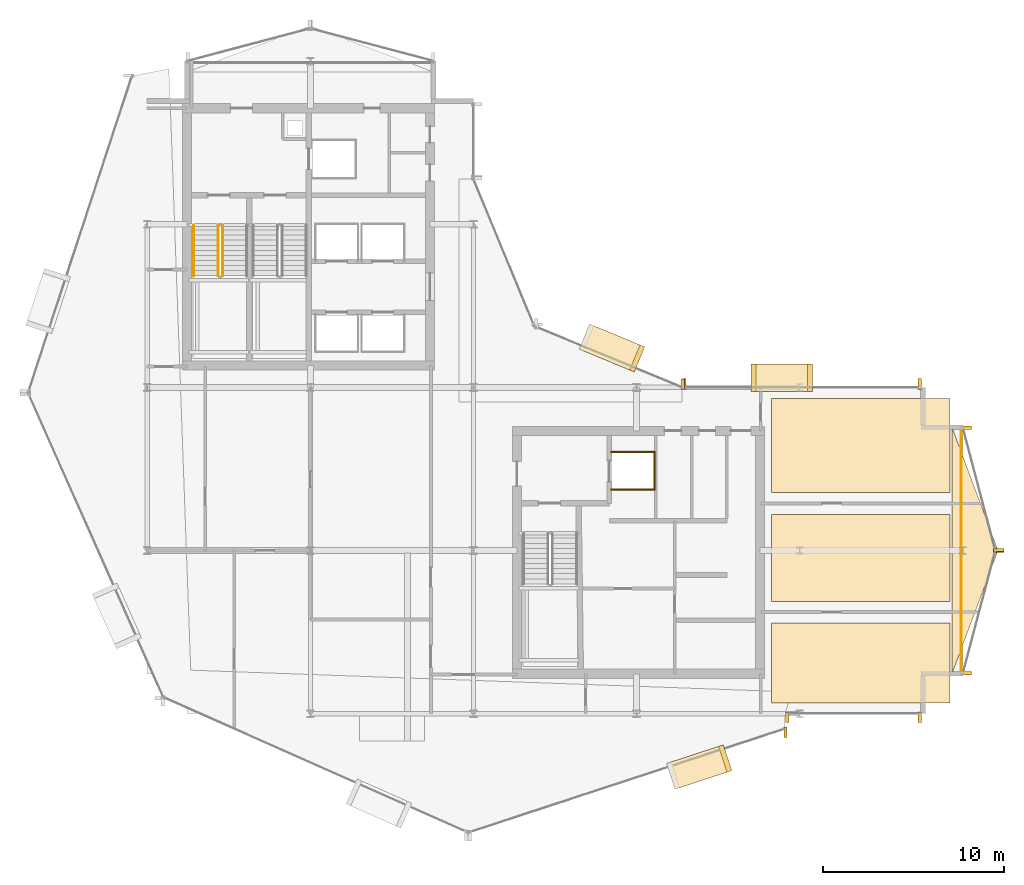
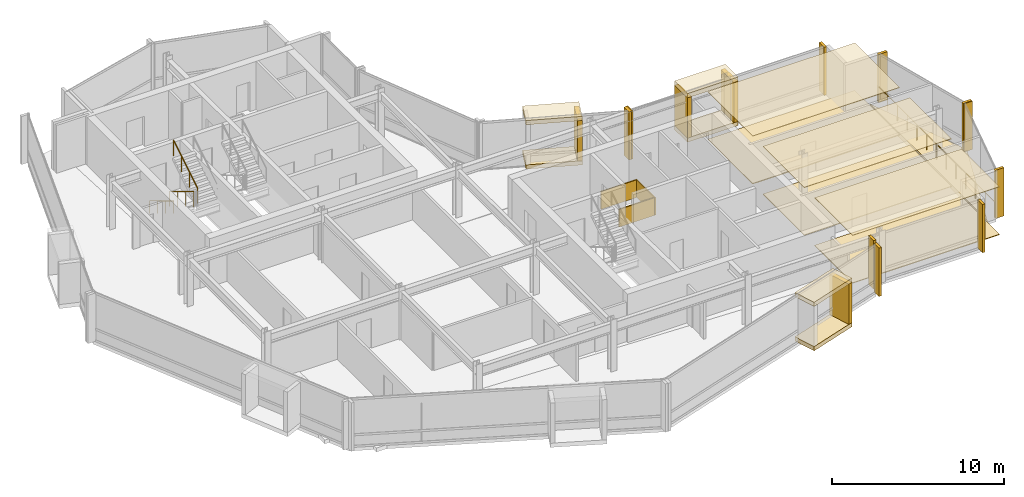
# One storey, part 27 of 28: 30 coverings, 4 railings.
"""IFC4 building model written with IfcOpenShell, lengths in metres."""

from ifc_helpers import new_model, si_unit, direction, frame, origin, origin_2d, place, context, subcontext, project, spatial, polyline, rectangle, circle, outline, extrude, material, layer, layer_set, type_object, element, save


model = new_model("IFC4")

# Units and contexts
model_context = context("Model", 3, precision=1e-05, world=origin(), true_north=direction((0.0, 1.0)))
body_context = subcontext(model_context, "Body", "Model", "MODEL_VIEW")
ifc_project = project(units=[si_unit("LENGTHUNIT", "METRE"), si_unit("AREAUNIT", "SQUARE_METRE"), si_unit("VOLUMEUNIT", "CUBIC_METRE"), si_unit("PLANEANGLEUNIT", "RADIAN"), si_unit("MASSUNIT", "GRAM", prefix="KILO")], contexts=[model_context])

# Site, building, storey
site_placement = place(None, origin())
site = spatial("IfcSite", under=ifc_project, at=site_placement, CompositionType="ELEMENT")
building_placement = place(site_placement, origin())
building = spatial("IfcBuilding", under=site, at=building_placement, Name="Solvaryn Broadcast Tower", CompositionType="ELEMENT")
storey_placement = place(building_placement, frame((0.0, 0.0, 206.199951171875)))
storey = spatial("IfcBuildingStorey", under=building, at=storey_placement, Name="L51", CompositionType="ELEMENT", Elevation=206.199951171875)

# Coverings
ifc_material_1 = material(Name="Micro-Perforated Acoustic Gypsum Ceiling", Category="concrete")
ifc_layer_1 = layer(ifc_material_1, 0.0400390625)
ifc_layer_set_1 = layer_set([ifc_layer_1], Name="CV-CEIL-ACOUSTIC")
covering_type_1 = type_object("IfcCoveringType", Name="CV-CEIL-ACOUSTIC", PredefinedType="CEILING", material=ifc_layer_set_1)
covering_1_placement = place(storey_placement, frame((0.0, 0.0, 3.380126953125)))
element("IfcCovering", 1, at=covering_1_placement, inside=storey, type_object=covering_type_1, Name="L51 Room Acoustic Ceiling 1", PredefinedType="CEILING", context=body_context, shape_type="SweptSolid", body=[
    extrude(outline(polyline([(43.449951171875, 9.60009765625), (53.300048828125, 9.60009765625), (53.300048828125, 14.0), (43.449951171875, 14.0), (43.449951171875, 9.60009765625)])), origin(), (0.0, 0.0, 1.0), 0.0400390625),
])
covering_2_placement = place(storey_placement, frame((0.0, 0.0, 3.380126953125)))
element("IfcCovering", 2, at=covering_2_placement, inside=storey, type_object=covering_type_1, Name="L51 Room Acoustic Ceiling 2", PredefinedType="CEILING", context=body_context, shape_type="SweptSolid", body=[
    extrude(outline(polyline([(43.449951171875, 15.199951171875), (53.300048828125, 15.199951171875), (53.300048828125, 20.0), (43.449951171875, 20.0), (43.449951171875, 15.199951171875)])), origin(), (0.0, 0.0, 1.0), 0.0400390625),
])
covering_3_placement = place(storey_placement, frame((0.0, 0.0, 3.380126953125)))
element("IfcCovering", 3, at=covering_3_placement, inside=storey, type_object=covering_type_1, Name="L51 Room Acoustic Ceiling 3", PredefinedType="CEILING", context=body_context, shape_type="SweptSolid", body=[
    extrude(outline(polyline([(43.449951171875, 21.199951171875), (53.300048828125, 21.199951171875), (53.300048828125, 26.39990234375), (43.449951171875, 26.39990234375), (43.449951171875, 21.199951171875)])), origin(), (0.0, 0.0, 1.0), 0.0400390625),
])
ifc_material_2 = material(Name="Newsroom Raised Data Access Flooring", Category="steel")
ifc_layer_2 = layer(ifc_material_2, 0.050048828125)
ifc_layer_set_2 = layer_set([ifc_layer_2], Name="CV-FLOOR-RAISED")
covering_type_2 = type_object("IfcCoveringType", Name="CV-FLOOR-RAISED", PredefinedType="FLOORING", material=ifc_layer_set_2)
covering_4_placement = place(storey_placement, origin())
element("IfcCovering", 4, at=covering_4_placement, inside=storey, type_object=covering_type_2, Name="L51 Room Acoustic Floor Finish 1", PredefinedType="FLOORING", context=body_context, shape_type="SweptSolid", body=[
    extrude(outline(polyline([(43.449951171875, 9.60009765625), (53.300048828125, 9.60009765625), (53.300048828125, 14.0), (43.449951171875, 14.0), (43.449951171875, 9.60009765625)])), origin(), (0.0, 0.0, 1.0), 0.050048828125),
])
covering_5_placement = place(storey_placement, origin())
element("IfcCovering", 5, at=covering_5_placement, inside=storey, type_object=covering_type_2, Name="L51 Room Acoustic Floor Finish 2", PredefinedType="FLOORING", context=body_context, shape_type="SweptSolid", body=[
    extrude(outline(polyline([(43.449951171875, 15.199951171875), (53.300048828125, 15.199951171875), (53.300048828125, 20.0), (43.449951171875, 20.0), (43.449951171875, 15.199951171875)])), origin(), (0.0, 0.0, 1.0), 0.050048828125),
])
covering_6_placement = place(storey_placement, origin())
element("IfcCovering", 6, at=covering_6_placement, inside=storey, type_object=covering_type_2, Name="L51 Room Acoustic Floor Finish 3", PredefinedType="FLOORING", context=body_context, shape_type="SweptSolid", body=[
    extrude(outline(polyline([(43.449951171875, 21.199951171875), (53.300048828125, 21.199951171875), (53.300048828125, 26.39990234375), (43.449951171875, 26.39990234375), (43.449951171875, 21.199951171875)])), origin(), (0.0, 0.0, 1.0), 0.050048828125),
])
ifc_material_3 = material(Name="Fire-Rated Gypsum Shaftwall Liner", Category="concrete")
ifc_layer_3 = layer(ifc_material_3, 0.080078125)
ifc_layer_set_3 = layer_set([ifc_layer_3], Name="CV-SHAFT-LINER")
covering_type_3 = type_object("IfcCoveringType", Name="CV-SHAFT-LINER", PredefinedType="CLADDING", material=ifc_layer_set_3)
for number, where, z_axis, x_axis, name in (
    (7, (35.800048828125, 23.43994140625, 0.0), (0.0, 0.0, 1.0), (1.0, 0.0, 0.0), "L51 FL2 Hoistway Shaft Liner North"),
    (8, (35.800048828125, 21.360107421875, 0.0), (0.0, 0.0, 1.0), (1.0, 0.0, 0.0), "L51 FL2 Hoistway Shaft Liner South"),
):
    element("IfcCovering", number, at=place(storey_placement, frame(where, z_axis=z_axis, x_axis=x_axis)), inside=storey, type_object=covering_type_3, Name=name, PredefinedType="CLADDING", context=body_context, shape_type="SweptSolid", body=[
        extrude(rectangle(XDim=2.4599609375, YDim=0.080078125, at=origin_2d()), origin(), (0.0, 0.0, 1.0), 1.25),
    ])
covering_7_placement = place(storey_placement, frame((36.989990234375, 22.39990234375, 0.0), z_axis=(0.0, 0.0, 1.0), x_axis=(1.0, 0.0, 0.0)))
element("IfcCovering", 9, at=covering_7_placement, inside=storey, type_object=covering_type_3, Name="L51 FL2 Hoistway Shaft Liner East", PredefinedType="CLADDING", context=body_context, shape_type="SweptSolid", body=[
    extrude(rectangle(XDim=0.080078125, YDim=2.159912109375, at=origin_2d()), origin(), (0.0, 0.0, 1.0), 1.25),
])
ifc_material_4 = material(Name="Glazed Architectural Terracotta Rainscreen Cladding", Category="masonry")
ifc_layer_4 = layer(ifc_material_4, 0.280029296875)
ifc_layer_set_4 = layer_set([ifc_layer_4], Name="CV-TC-CLAD")
covering_type_4 = type_object("IfcCoveringType", Name="CV-TC-CLAD", PredefinedType="CLADDING", material=ifc_layer_set_4)
for number, where, z_axis, x_axis, name in (
    (10, (39.4541015625, 6.054931640625, 3.1298828125), (0.0, 0.0, 1.0), (0.950244253402, 0.311505792684, 0.0), "L51 Projecting Stone Window Box Hood 4"),
    (11, (39.4541015625, 6.054931640625, -0.009765625), (0.0, 0.0, 1.0), (0.950244253402, 0.311505792684, 0.0), "L51 Projecting Stone Window Box Sill 4"),
):
    element("IfcCovering", number, at=place(storey_placement, frame(where, z_axis=z_axis, x_axis=x_axis)), inside=storey, type_object=covering_type_4, Name=name, PredefinedType="CLADDING", context=body_context, shape_type="SweptSolid", body=[
        extrude(rectangle(XDim=3.300048828125, YDim=1.5, at=origin_2d()), origin(), (0.0, 0.0, 1.0), 0.300048828125),
    ])
covering_8_placement = place(storey_placement, frame((40.888916015625, 6.525390625, 0.27978515625), z_axis=(0.0, 0.0, 1.0), x_axis=(0.950244253402, 0.311505792684, 0.0)))
element("IfcCovering", 12, at=covering_8_placement, inside=storey, type_object=covering_type_4, Name="L51 Projecting Stone Window Box Cheek 4-2", PredefinedType="CLADDING", context=body_context, shape_type="SweptSolid", body=[
    extrude(rectangle(XDim=0.280029296875, YDim=1.5, at=origin_2d()), origin(), (0.0, 0.0, 1.0), 2.860107421875),
])
for number, where, z_axis, x_axis, name in (
    (13, (34.636962890625, 29.174072265625, 3.1298828125), (0.0, 0.0, 1.0), (-0.923879532511, 0.382683432365, 0.0), "L51 Projecting Stone Window Box Hood 5"),
    (14, (34.636962890625, 29.174072265625, -0.009765625), (0.0, 0.0, 1.0), (-0.923879532511, 0.382683432365, 0.0), "L51 Projecting Stone Window Box Sill 5"),
):
    element("IfcCovering", number, at=place(storey_placement, frame(where, z_axis=z_axis, x_axis=x_axis)), inside=storey, type_object=covering_type_4, Name=name, PredefinedType="CLADDING", context=body_context, shape_type="SweptSolid", body=[
        extrude(rectangle(XDim=3.300048828125, YDim=1.5, at=origin_2d()), origin(), (0.0, 0.0, 1.0), 0.300048828125),
    ])
covering_9_placement = place(storey_placement, frame((36.031982421875, 28.59619140625, 0.27978515625), z_axis=(0.0, 0.0, 1.0), x_axis=(-0.923879532511, 0.382683432365, 0.0)))
element("IfcCovering", 15, at=covering_9_placement, inside=storey, type_object=covering_type_4, Name="L51 Projecting Stone Window Box Cheek 5-1", PredefinedType="CLADDING", context=body_context, shape_type="SweptSolid", body=[
    extrude(rectangle(XDim=0.280029296875, YDim=1.5, at=origin_2d()), origin(), (0.0, 0.0, 1.0), 2.860107421875),
])
for number, where, z_axis, x_axis, name in (
    (16, (44.0, 27.530029296875, 3.1298828125), (0.0, 0.0, 1.0), (1.0, 0.0, 0.0), "L51 Projecting Stone Window Box Hood 6"),
    (17, (44.0, 27.530029296875, -0.009765625), (0.0, 0.0, 1.0), (1.0, 0.0, 0.0), "L51 Projecting Stone Window Box Sill 6"),
):
    element("IfcCovering", number, at=place(storey_placement, frame(where, z_axis=z_axis, x_axis=x_axis)), inside=storey, type_object=covering_type_4, Name=name, PredefinedType="CLADDING", context=body_context, shape_type="SweptSolid", body=[
        extrude(rectangle(XDim=3.39990234375, YDim=1.5, at=origin_2d()), origin(), (0.0, 0.0, 1.0), 0.300048828125),
    ])
for number, where, z_axis, x_axis, name in (
    (18, (42.43994140625, 27.530029296875, 0.27978515625), (0.0, 0.0, 1.0), (1.0, 0.0, 0.0), "L51 Projecting Stone Window Box Cheek 6-1"),
    (19, (45.56005859375, 27.530029296875, 0.27978515625), (0.0, 0.0, 1.0), (1.0, 0.0, 0.0), "L51 Projecting Stone Window Box Cheek 6-2"),
):
    element("IfcCovering", number, at=place(storey_placement, frame(where, z_axis=z_axis, x_axis=x_axis)), inside=storey, type_object=covering_type_4, Name=name, PredefinedType="CLADDING", context=body_context, shape_type="SweptSolid", body=[
        extrude(rectangle(XDim=0.280029296875, YDim=1.5, at=origin_2d()), origin(), (0.0, 0.0, 1.0), 2.860107421875),
    ])
ifc_material_5 = material(Name="Extruded Architectural Terracotta Fin", Category="masonry")
ifc_layer_5 = layer(ifc_material_5, 0.179931640625)
ifc_layer_set_5 = layer_set([ifc_layer_5], Name="CV-TC-FIN")
covering_type_5 = type_object("IfcCoveringType", Name="CV-TC-FIN", PredefinedType="USERDEFINED", material=ifc_layer_set_5)
for number, where, z_axis, x_axis, name in (
    (20, (44.209716796875, 7.982666015625, 0.0), (0.0, 0.0, 1.0), (1.0, 0.0, 0.0), "L51 Terracotta Vertical Fin FIN-L51-DR4-M01"),
    (21, (38.541259765625, 27.177978515625, 0.0), (0.0, 0.0, 1.0), (1.0, 0.0, 0.0), "L51 Terracotta Vertical Fin FIN-L51-CN1-M00"),
    (22, (44.31201171875, 8.8125, 0.0), (0.0, 0.0, 1.0), (1.0, 0.0, 0.0), "L51 Terracotta Vertical Fin FIN-L51-S2-M00"),
    (23, (51.6201171875, 8.8125, 0.0), (0.0, 0.0, 1.0), (1.0, 0.0, 0.0), "L51 Terracotta Vertical Fin FIN-L51-S2-M01"),
):
    element("IfcCovering", number, at=place(storey_placement, frame(where, z_axis=z_axis, x_axis=x_axis)), inside=storey, type_object=covering_type_5, Name=name, ObjectType="FIN", PredefinedType="USERDEFINED", context=body_context, shape_type="SweptSolid", body=[
        extrude(rectangle(XDim=0.179931640625, YDim=0.580078125, at=origin_2d()), origin(), (0.0, 0.0, 1.0), 3.419921875),
    ])
for number, where, z_axis, x_axis, name in (
    (24, (54.1953125, 24.77099609375, 0.0), (0.0, 0.0, 1.0), (1.0, 0.0, 0.0), "L51 Terracotta Vertical Fin FIN-L51-ET1-M00"),
    (25, (55.979736328125, 18.029052734375, 0.0), (0.0, 0.0, 1.0), (1.0, 0.0, 0.0), "L51 Terracotta Vertical Fin FIN-L51-ET1-M01"),
    (26, (55.979736328125, 17.970947265625, 0.0), (0.0, 0.0, 1.0), (1.0, 0.0, 0.0), "L51 Terracotta Vertical Fin FIN-L51-ET2-M00"),
    (27, (54.1953125, 11.22900390625, 0.0), (0.0, 0.0, 1.0), (1.0, 0.0, 0.0), "L51 Terracotta Vertical Fin FIN-L51-ET2-M01"),
):
    element("IfcCovering", number, at=place(storey_placement, frame(where, z_axis=z_axis, x_axis=x_axis)), inside=storey, type_object=covering_type_5, Name=name, ObjectType="FIN", PredefinedType="USERDEFINED", context=body_context, shape_type="SweptSolid", body=[
        extrude(rectangle(XDim=0.580078125, YDim=0.179931640625, at=origin_2d()), origin(), (0.0, 0.0, 1.0), 3.419921875),
    ])
for number, where, z_axis, x_axis, name in (
    (28, (38.6298828125, 27.1875, 0.0), (0.0, 0.0, 1.0), (1.0, 0.0, 0.0), "L51 Terracotta Vertical Fin FIN-L51-IH-M00"),
    (29, (51.6201171875, 27.1875, 0.0), (0.0, 0.0, 1.0), (1.0, 0.0, 0.0), "L51 Terracotta Vertical Fin FIN-L51-IH-M01"),
):
    element("IfcCovering", number, at=place(storey_placement, frame(where, z_axis=z_axis, x_axis=x_axis)), inside=storey, type_object=covering_type_5, Name=name, ObjectType="FIN", PredefinedType="USERDEFINED", context=body_context, shape_type="SweptSolid", body=[
        extrude(rectangle(XDim=0.179931640625, YDim=0.580078125, at=origin_2d()), origin(), (0.0, 0.0, 1.0), 3.419921875),
    ])
ifc_material_6 = material(Name="Sculpted Architectural Terracotta Wave Fascia", Category="masonry")
ifc_layer_6 = layer(ifc_material_6, 0.340087890625)
ifc_layer_set_6 = layer_set([ifc_layer_6], Name="CV-WAVE-TRAY")
covering_type_6 = type_object("IfcCoveringType", Name="CV-WAVE-TRAY", PredefinedType="CLADDING", material=ifc_layer_set_6)
covering_10_placement = place(storey_placement, frame((0.0, 0.0, -0.300048828125)))
element("IfcCovering", 30, at=covering_10_placement, inside=storey, type_object=covering_type_6, Name="L51 East Curved Wing Deck", PredefinedType="CLADDING", context=body_context, shape_type="SweptSolid", body=[
    extrude(outline(polyline([(53.39990234375, 11.199951171875), (55.949951171875, 18.0), (53.39990234375, 24.800048828125), (53.39990234375, 11.199951171875)])), origin(), (0.0, 0.0, 1.0), 0.330078125),
])

# Railings
ifc_material_7 = material(Name="Painted Steel Stair Well Guard", Category="steel")
railing_type_1 = type_object("IfcRailingType", Name="RL-STAIR-GUARD", PredefinedType="BALUSTRADE", material=ifc_material_7)
railing_1_placement = place(storey_placement, frame((12.909912109375, 35.9599609375, 0.168212890625)))
element("IfcRailing", 31, at=railing_1_placement, inside=storey, type_object=railing_type_1, Name="L51 ST1 stair guard 1", PredefinedType="BALUSTRADE", context=body_context, shape_type="SweptSolid", body=[
    extrude(circle(Radius=0.02392578125, at=origin_2d()), frame((0.0, 0.0, 1.076171875), z_axis=(0.0, -0.857242210791, 0.514913383045), x_axis=(1.0, 0.0, 0.0)), (0.0, 0.0, 1.0), 3.266357421875),
    extrude(circle(Radius=0.02099609375, at=origin_2d()), origin(), (0.0, 0.0, 1.0), 1.052001953125),
    extrude(circle(Radius=0.02099609375, at=origin_2d()), frame((0.0, -0.933349609375, 0.560546875)), (0.0, 0.0, 1.0), 1.052001953125),
    extrude(circle(Radius=0.02099609375, at=origin_2d()), frame((0.0, -1.86669921875, 1.121337890625)), (0.0, 0.0, 1.0), 1.052001953125),
    extrude(circle(Radius=0.02099609375, at=origin_2d()), frame((0.0, -2.800048828125, 1.681884765625)), (0.0, 0.0, 1.0), 1.052001953125),
])
railing_2_placement = place(storey_placement, frame((13.159912109375, 33.159912109375, 2.018310546875)))
element("IfcRailing", 32, at=railing_2_placement, inside=storey, type_object=railing_type_1, Name="L51 ST1 stair guard 3", PredefinedType="BALUSTRADE", context=body_context, shape_type="SweptSolid", body=[
    extrude(circle(Radius=0.02392578125, at=origin_2d()), frame((0.0, 0.0, 1.076171875), z_axis=(0.0, 0.857275202839, 0.514858452973), x_axis=(-1.0, 0.0, 0.0)), (0.0, 0.0, 1.0), 3.26611328125),
    extrude(circle(Radius=0.02099609375, at=origin_2d()), origin(), (0.0, 0.0, 1.0), 1.052001953125),
    extrude(circle(Radius=0.02099609375, at=origin_2d()), frame((0.0, 0.933349609375, 0.560546875)), (0.0, 0.0, 1.0), 1.052001953125),
    extrude(circle(Radius=0.02099609375, at=origin_2d()), frame((0.0, 1.86669921875, 1.12109375)), (0.0, 0.0, 1.0), 1.052001953125),
    extrude(circle(Radius=0.02099609375, at=origin_2d()), frame((0.0, 2.800048828125, 1.681640625)), (0.0, 0.0, 1.0), 1.052001953125),
])
ifc_material_8 = material(Name="Brushed Stainless Steel Tubular Handrail", Category="steel")
railing_type_2 = type_object("IfcRailingType", Name="RL-STAIR-HANDRAIL", PredefinedType="HANDRAIL", material=ifc_material_8)
railing_3_placement = place(storey_placement, frame((11.570068359375, 35.9599609375, 0.168212890625)))
element("IfcRailing", 33, at=railing_3_placement, inside=storey, type_object=railing_type_2, Name="L51 ST1 stair handrail 1", PredefinedType="HANDRAIL", context=body_context, shape_type="SweptSolid", body=[
    extrude(circle(Radius=0.02392578125, at=origin_2d()), frame((0.0, 0.0, 0.8759765625), z_axis=(0.0, -0.857242210791, 0.514913383045), x_axis=(1.0, 0.0, 0.0)), (0.0, 0.0, 1.0), 3.266357421875),
    extrude(circle(Radius=0.02099609375, at=origin_2d()), origin(), (0.0, 0.0, 1.0), 0.851806640625),
    extrude(circle(Radius=0.02099609375, at=origin_2d()), frame((0.0, -0.933349609375, 0.560546875)), (0.0, 0.0, 1.0), 0.851806640625),
    extrude(circle(Radius=0.02099609375, at=origin_2d()), frame((0.0, -1.86669921875, 1.121337890625)), (0.0, 0.0, 1.0), 0.851806640625),
    extrude(circle(Radius=0.02099609375, at=origin_2d()), frame((0.0, -2.800048828125, 1.681884765625)), (0.0, 0.0, 1.0), 0.851806640625),
])
ifc_material_9 = material(Name="Stainless Steel and Laminated Glass Guard", Category="steel")
railing_type_3 = type_object("IfcRailingType", Name="RL-TER-1150", PredefinedType="BALUSTRADE", material=ifc_material_9)
railing_4_placement = place(storey_placement, frame((53.919921875, 11.199951171875, 0.0)))
element("IfcRailing", 34, at=railing_4_placement, inside=storey, type_object=railing_type_3, Name="L51 East Wing Spandrel Edge Guard", PredefinedType="BALUSTRADE", context=body_context, shape_type="SweptSolid", body=[
    extrude(circle(Radius=0.02392578125, at=origin_2d()), frame((0.0, 0.0, 1.1259765625), z_axis=(0.0, 1.0, 0.0), x_axis=(-1.0, 0.0, 0.0)), (0.0, 0.0, 1.0), 13.60009765625),
    extrude(circle(Radius=0.02099609375, at=origin_2d()), origin(), (0.0, 0.0, 1.0), 1.101806640625),
    extrude(circle(Radius=0.02099609375, at=origin_2d()), frame((0.0, 1.13330078125, 0.0)), (0.0, 0.0, 1.0), 1.101806640625),
    extrude(circle(Radius=0.02099609375, at=origin_2d()), frame((0.0, 2.2666015625, 0.0)), (0.0, 0.0, 1.0), 1.101806640625),
    extrude(circle(Radius=0.02099609375, at=origin_2d()), frame((0.0, 3.39990234375, 0.0)), (0.0, 0.0, 1.0), 1.101806640625),
    extrude(circle(Radius=0.02099609375, at=origin_2d()), frame((0.0, 4.533447265625, 0.0)), (0.0, 0.0, 1.0), 1.101806640625),
    extrude(circle(Radius=0.02099609375, at=origin_2d()), frame((0.0, 5.666748046875, 0.0)), (0.0, 0.0, 1.0), 1.101806640625),
    extrude(circle(Radius=0.02099609375, at=origin_2d()), frame((0.0, 6.800048828125, 0.0)), (0.0, 0.0, 1.0), 1.101806640625),
    extrude(circle(Radius=0.02099609375, at=origin_2d()), frame((0.0, 7.933349609375, 0.0)), (0.0, 0.0, 1.0), 1.101806640625),
    extrude(circle(Radius=0.02099609375, at=origin_2d()), frame((0.0, 9.066650390625, 0.0)), (0.0, 0.0, 1.0), 1.101806640625),
    extrude(circle(Radius=0.02099609375, at=origin_2d()), frame((0.0, 10.2001953125, 0.0)), (0.0, 0.0, 1.0), 1.101806640625),
    extrude(circle(Radius=0.02099609375, at=origin_2d()), frame((0.0, 11.33349609375, 0.0)), (0.0, 0.0, 1.0), 1.101806640625),
    extrude(circle(Radius=0.02099609375, at=origin_2d()), frame((0.0, 12.466796875, 0.0)), (0.0, 0.0, 1.0), 1.101806640625),
    extrude(circle(Radius=0.02099609375, at=origin_2d()), frame((0.0, 13.60009765625, 0.0)), (0.0, 0.0, 1.0), 1.101806640625),
])

save(model, "model.ifc")
